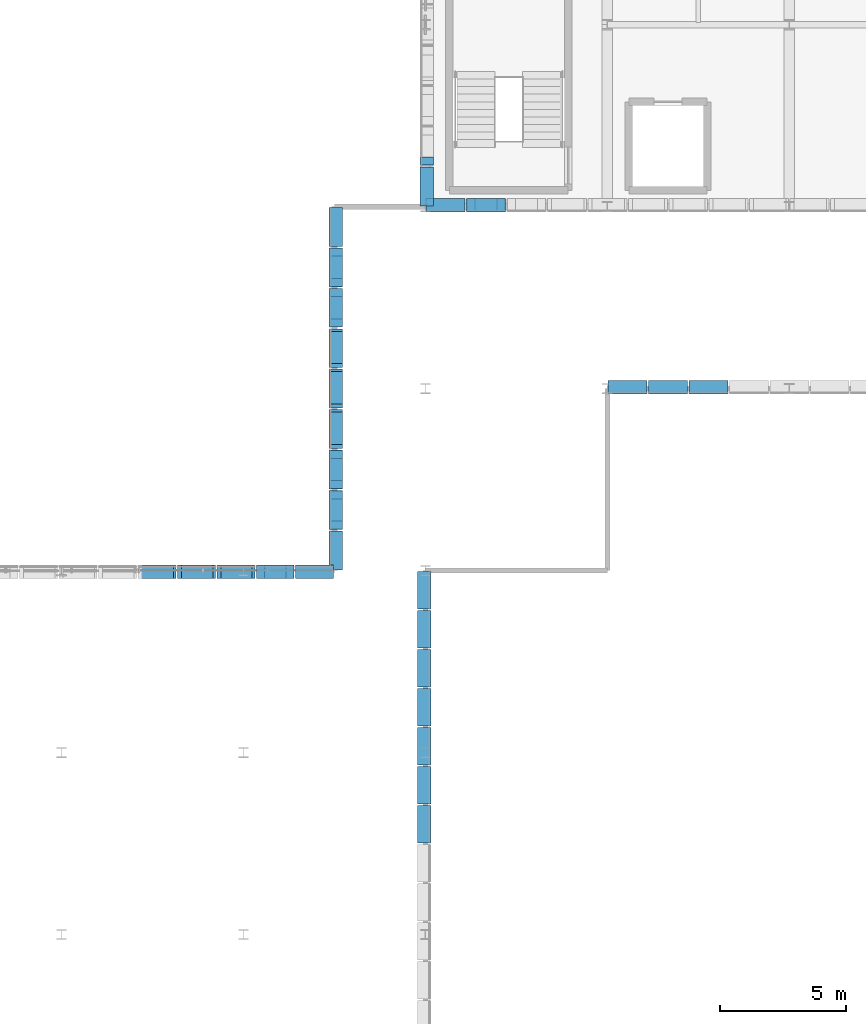
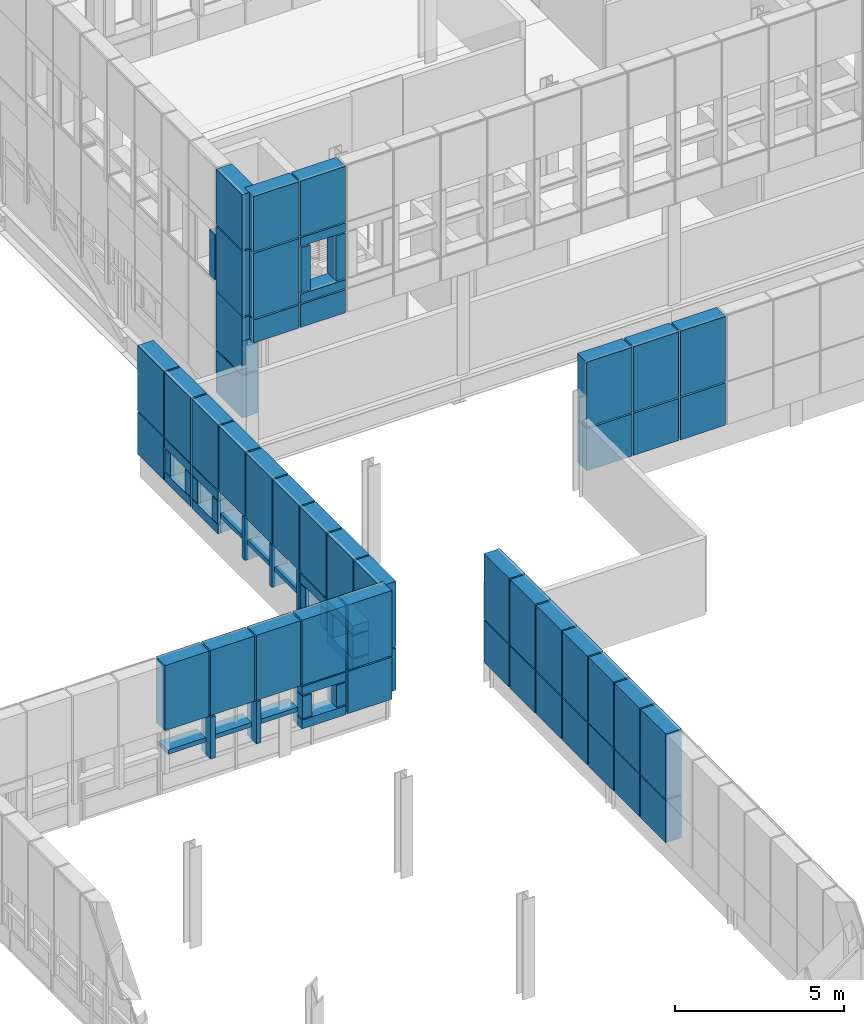
# One storey, part 65 of 96: 83 discrete accessories.
"""IFC4 building model written with IfcOpenShell, lengths in metres."""

from ifc_helpers import new_model, si_unit, direction, frame, origin, origin_2d, place, context, subcontext, project, spatial, rectangle, extrude, material, type_object, element, save


model = new_model("IFC4")

# Units and contexts
model_context = context("Model", 3, precision=1e-05, world=origin(), true_north=direction((0.0, 1.0)))
body_context = subcontext(model_context, "Body", "Model", "MODEL_VIEW")
ifc_project = project(units=[si_unit("LENGTHUNIT", "METRE"), si_unit("AREAUNIT", "SQUARE_METRE"), si_unit("VOLUMEUNIT", "CUBIC_METRE"), si_unit("PLANEANGLEUNIT", "RADIAN"), si_unit("MASSUNIT", "GRAM", prefix="KILO")], contexts=[model_context])

# Site, building, storey
site_placement = place(None, origin())
site = spatial("IfcSite", under=ifc_project, at=site_placement, CompositionType="ELEMENT")
building_placement = place(site_placement, origin())
building = spatial("IfcBuilding", under=site, at=building_placement, Name="Yarey Park Central Fire Station", CompositionType="ELEMENT")
storey_placement = place(building_placement, frame((0.0, 0.0, 14.39990234375)))
storey = spatial("IfcBuildingStorey", under=building, at=storey_placement, Name="L04", CompositionType="ELEMENT", Elevation=14.39990234375)

# Discrete accessories
ifc_material = material(Name="Stainless Steel AISI 316L", Category="steel")
discrete_accessory_type = type_object("IfcDiscreteAccessoryType", Name="ENV_BRK_SS1", PredefinedType="BRACKET", material=ifc_material)
discrete_accessory_1_placement = place(storey_placement, frame((18.179931640625, 43.14990234375, 1.55517578125), z_axis=(0.0, 0.0, 1.0), x_axis=(1.0, 0.0, 0.0)))
element("IfcDiscreteAccessory", 1, at=discrete_accessory_1_placement, inside=storey, type_object=discrete_accessory_type, Name="BRK_PERF_L04_0233", PredefinedType="BRACKET", context=body_context, shape_type="SweptSolid", body=[
    extrude(rectangle(XDim=1.300048828125, YDim=0.5400390625, at=origin_2d()), origin(), (0.0, 0.0, 1.0), 0.159912109375),
])
discrete_accessory_2_placement = place(storey_placement, frame((18.179931640625, 43.14990234375, 2.445068359375), z_axis=(0.0, 0.0, 1.0), x_axis=(1.0, 0.0, 0.0)))
element("IfcDiscreteAccessory", 2, at=discrete_accessory_2_placement, inside=storey, type_object=discrete_accessory_type, Name="BRK_PERF_L04_0234", PredefinedType="BRACKET", context=body_context, shape_type="SweptSolid", body=[
    extrude(rectangle(XDim=1.5, YDim=0.5400390625, at=origin_2d()), origin(), (0.0, 0.0, 1.0), 2.35009765625),
])
discrete_accessory_3_placement = place(storey_placement, frame((19.070068359375, 43.14990234375, 0.875), z_axis=(0.0, 0.0, 1.0), x_axis=(1.0, 0.0, 0.0)))
element("IfcDiscreteAccessory", 3, at=discrete_accessory_3_placement, inside=storey, type_object=discrete_accessory_type, Name="BRK_PERF_L04_0239", PredefinedType="BRACKET", context=body_context, shape_type="SweptSolid", body=[
    extrude(rectangle(XDim=0.159912109375, YDim=0.5400390625, at=origin_2d()), origin(), (0.0, 0.0, 1.0), 1.52001953125),
])
discrete_accessory_4_placement = place(storey_placement, frame((19.739990234375, 43.14990234375, 1.55517578125), z_axis=(0.0, 0.0, 1.0), x_axis=(1.0, 0.0, 0.0)))
element("IfcDiscreteAccessory", 4, at=discrete_accessory_4_placement, inside=storey, type_object=discrete_accessory_type, Name="BRK_PERF_L04_0240", PredefinedType="BRACKET", context=body_context, shape_type="SweptSolid", body=[
    extrude(rectangle(XDim=1.300048828125, YDim=0.5400390625, at=origin_2d()), origin(), (0.0, 0.0, 1.0), 0.159912109375),
])
discrete_accessory_5_placement = place(storey_placement, frame((19.739990234375, 43.14990234375, 2.445068359375), z_axis=(0.0, 0.0, 1.0), x_axis=(1.0, 0.0, 0.0)))
element("IfcDiscreteAccessory", 5, at=discrete_accessory_5_placement, inside=storey, type_object=discrete_accessory_type, Name="BRK_PERF_L04_0241", PredefinedType="BRACKET", context=body_context, shape_type="SweptSolid", body=[
    extrude(rectangle(XDim=1.5, YDim=0.5400390625, at=origin_2d()), origin(), (0.0, 0.0, 1.0), 2.35009765625),
])
discrete_accessory_6_placement = place(storey_placement, frame((20.6298828125, 43.14990234375, 0.875), z_axis=(0.0, 0.0, 1.0), x_axis=(1.0, 0.0, 0.0)))
element("IfcDiscreteAccessory", 6, at=discrete_accessory_6_placement, inside=storey, type_object=discrete_accessory_type, Name="BRK_PERF_L04_0246", PredefinedType="BRACKET", context=body_context, shape_type="SweptSolid", body=[
    extrude(rectangle(XDim=0.159912109375, YDim=0.5400390625, at=origin_2d()), origin(), (0.0, 0.0, 1.0), 1.52001953125),
])
discrete_accessory_7_placement = place(storey_placement, frame((21.300048828125, 43.14990234375, 1.55517578125), z_axis=(0.0, 0.0, 1.0), x_axis=(1.0, 0.0, 0.0)))
element("IfcDiscreteAccessory", 7, at=discrete_accessory_7_placement, inside=storey, type_object=discrete_accessory_type, Name="BRK_PERF_L04_0247", PredefinedType="BRACKET", context=body_context, shape_type="SweptSolid", body=[
    extrude(rectangle(XDim=1.300048828125, YDim=0.5400390625, at=origin_2d()), origin(), (0.0, 0.0, 1.0), 0.159912109375),
])
discrete_accessory_8_placement = place(storey_placement, frame((21.300048828125, 43.14990234375, 2.445068359375), z_axis=(0.0, 0.0, 1.0), x_axis=(1.0, 0.0, 0.0)))
element("IfcDiscreteAccessory", 8, at=discrete_accessory_8_placement, inside=storey, type_object=discrete_accessory_type, Name="BRK_PERF_L04_0248", PredefinedType="BRACKET", context=body_context, shape_type="SweptSolid", body=[
    extrude(rectangle(XDim=1.5, YDim=0.5400390625, at=origin_2d()), origin(), (0.0, 0.0, 1.0), 2.35009765625),
])
for number, where, z_axis, x_axis, name in (
    (9, (22.860107421875, 43.14990234375, 0.8701171875), (0.0, 0.0, 1.0), (1.0, 0.0, 0.0), "BRK_PERF_L04_0255"),
    (10, (22.860107421875, 43.14990234375, 2.080078125), (0.0, 0.0, 1.0), (1.0, 0.0, 0.0), "BRK_PERF_L04_0256"),
):
    element("IfcDiscreteAccessory", number, at=place(storey_placement, frame(where, z_axis=z_axis, x_axis=x_axis)), inside=storey, type_object=discrete_accessory_type, Name=name, PredefinedType="BRACKET", context=body_context, shape_type="SweptSolid", body=[
        extrude(rectangle(XDim=1.5, YDim=0.5400390625, at=origin_2d()), origin(), (0.0, 0.0, 1.0), 0.320068359375),
    ])
for number, where, z_axis, x_axis, name in (
    (11, (22.280029296875, 43.14990234375, 1.23486328125), (0.0, 0.0, 1.0), (1.0, 0.0, 0.0), "BRK_PERF_L04_0257"),
    (12, (23.43994140625, 43.14990234375, 1.23486328125), (0.0, 0.0, 1.0), (1.0, 0.0, 0.0), "BRK_PERF_L04_0258"),
):
    element("IfcDiscreteAccessory", number, at=place(storey_placement, frame(where, z_axis=z_axis, x_axis=x_axis)), inside=storey, type_object=discrete_accessory_type, Name=name, PredefinedType="BRACKET", context=body_context, shape_type="SweptSolid", body=[
        extrude(rectangle(XDim=0.320068359375, YDim=0.5400390625, at=origin_2d()), origin(), (0.0, 0.0, 1.0), 0.800048828125),
    ])
discrete_accessory_9_placement = place(storey_placement, frame((22.860107421875, 43.14990234375, 2.445068359375), z_axis=(0.0, 0.0, 1.0), x_axis=(1.0, 0.0, 0.0)))
element("IfcDiscreteAccessory", 13, at=discrete_accessory_9_placement, inside=storey, type_object=discrete_accessory_type, Name="BRK_PERF_L04_0259", PredefinedType="BRACKET", context=body_context, shape_type="SweptSolid", body=[
    extrude(rectangle(XDim=1.5, YDim=0.5400390625, at=origin_2d()), origin(), (0.0, 0.0, 1.0), 2.35009765625),
])
discrete_accessory_10_placement = place(storey_placement, frame((24.419921875, 43.14990234375, 0.875), z_axis=(0.0, 0.0, 1.0), x_axis=(1.0, 0.0, 0.0)))
element("IfcDiscreteAccessory", 14, at=discrete_accessory_10_placement, inside=storey, type_object=discrete_accessory_type, Name="BRK_PERF_L04_0263", PredefinedType="BRACKET", context=body_context, shape_type="SweptSolid", body=[
    extrude(rectangle(XDim=1.5, YDim=0.5400390625, at=origin_2d()), origin(), (0.0, 0.0, 1.0), 1.52001953125),
])
discrete_accessory_11_placement = place(storey_placement, frame((24.419921875, 43.14990234375, 2.445068359375), z_axis=(0.0, 0.0, 1.0), x_axis=(1.0, 0.0, 0.0)))
element("IfcDiscreteAccessory", 15, at=discrete_accessory_11_placement, inside=storey, type_object=discrete_accessory_type, Name="BRK_PERF_L04_0264", PredefinedType="BRACKET", context=body_context, shape_type="SweptSolid", body=[
    extrude(rectangle(XDim=1.5, YDim=0.5400390625, at=origin_2d()), origin(), (0.0, 0.0, 1.0), 2.35009765625),
])
discrete_accessory_12_placement = place(storey_placement, frame((25.25, 44.0, 0.875), z_axis=(0.0, 0.0, 1.0), x_axis=(1.0, 0.0, 0.0)))
element("IfcDiscreteAccessory", 16, at=discrete_accessory_12_placement, inside=storey, type_object=discrete_accessory_type, Name="BRK_PERF_L04_0529", PredefinedType="BRACKET", context=body_context, shape_type="SweptSolid", body=[
    extrude(rectangle(XDim=0.5400390625, YDim=1.5400390625, at=origin_2d()), origin(), (0.0, 0.0, 1.0), 1.52001953125),
])
discrete_accessory_13_placement = place(storey_placement, frame((25.25, 44.0, 2.445068359375), z_axis=(0.0, 0.0, 1.0), x_axis=(1.0, 0.0, 0.0)))
element("IfcDiscreteAccessory", 17, at=discrete_accessory_13_placement, inside=storey, type_object=discrete_accessory_type, Name="BRK_PERF_L04_0530", PredefinedType="BRACKET", context=body_context, shape_type="SweptSolid", body=[
    extrude(rectangle(XDim=0.5400390625, YDim=1.5400390625, at=origin_2d()), origin(), (0.0, 0.0, 1.0), 2.35009765625),
])
for number, where, z_axis, x_axis, name in (
    (18, (25.25, 45.60009765625, 0.8701171875), (0.0, 0.0, 1.0), (1.0, 0.0, 0.0), "BRK_PERF_L04_0537"),
    (19, (25.25, 45.60009765625, 2.080078125), (0.0, 0.0, 1.0), (1.0, 0.0, 0.0), "BRK_PERF_L04_0538"),
):
    element("IfcDiscreteAccessory", number, at=place(storey_placement, frame(where, z_axis=z_axis, x_axis=x_axis)), inside=storey, type_object=discrete_accessory_type, Name=name, PredefinedType="BRACKET", context=body_context, shape_type="SweptSolid", body=[
        extrude(rectangle(XDim=0.5400390625, YDim=1.5400390625, at=origin_2d()), origin(), (0.0, 0.0, 1.0), 0.320068359375),
    ])
for number, where, z_axis, x_axis, name in (
    (20, (25.25, 45.0, 1.23486328125), (0.0, 0.0, 1.0), (1.0, 0.0, 0.0), "BRK_PERF_L04_0539"),
    (21, (25.25, 46.199951171875, 1.23486328125), (0.0, 0.0, 1.0), (1.0, 0.0, 0.0), "BRK_PERF_L04_0540"),
):
    element("IfcDiscreteAccessory", number, at=place(storey_placement, frame(where, z_axis=z_axis, x_axis=x_axis)), inside=storey, type_object=discrete_accessory_type, Name=name, PredefinedType="BRACKET", context=body_context, shape_type="SweptSolid", body=[
        extrude(rectangle(XDim=0.5400390625, YDim=0.320068359375, at=origin_2d()), origin(), (0.0, 0.0, 1.0), 0.800048828125),
    ])
discrete_accessory_14_placement = place(storey_placement, frame((25.25, 45.60009765625, 2.445068359375), z_axis=(0.0, 0.0, 1.0), x_axis=(1.0, 0.0, 0.0)))
element("IfcDiscreteAccessory", 22, at=discrete_accessory_14_placement, inside=storey, type_object=discrete_accessory_type, Name="BRK_PERF_L04_0541", PredefinedType="BRACKET", context=body_context, shape_type="SweptSolid", body=[
    extrude(rectangle(XDim=0.5400390625, YDim=1.5400390625, at=origin_2d()), origin(), (0.0, 0.0, 1.0), 2.35009765625),
])
for number, where, z_axis, x_axis, name in (
    (23, (25.25, 47.199951171875, 0.8701171875), (0.0, 0.0, 1.0), (1.0, 0.0, 0.0), "BRK_PERF_L04_0548"),
    (24, (25.25, 47.199951171875, 2.080078125), (0.0, 0.0, 1.0), (1.0, 0.0, 0.0), "BRK_PERF_L04_0549"),
):
    element("IfcDiscreteAccessory", number, at=place(storey_placement, frame(where, z_axis=z_axis, x_axis=x_axis)), inside=storey, type_object=discrete_accessory_type, Name=name, PredefinedType="BRACKET", context=body_context, shape_type="SweptSolid", body=[
        extrude(rectangle(XDim=0.5400390625, YDim=1.5400390625, at=origin_2d()), origin(), (0.0, 0.0, 1.0), 0.320068359375),
    ])
for number, where, z_axis, x_axis, name in (
    (25, (25.25, 46.60009765625, 1.23486328125), (0.0, 0.0, 1.0), (1.0, 0.0, 0.0), "BRK_PERF_L04_0550"),
    (26, (25.25, 47.800048828125, 1.23486328125), (0.0, 0.0, 1.0), (1.0, 0.0, 0.0), "BRK_PERF_L04_0551"),
):
    element("IfcDiscreteAccessory", number, at=place(storey_placement, frame(where, z_axis=z_axis, x_axis=x_axis)), inside=storey, type_object=discrete_accessory_type, Name=name, PredefinedType="BRACKET", context=body_context, shape_type="SweptSolid", body=[
        extrude(rectangle(XDim=0.5400390625, YDim=0.320068359375, at=origin_2d()), origin(), (0.0, 0.0, 1.0), 0.800048828125),
    ])
discrete_accessory_15_placement = place(storey_placement, frame((25.25, 47.199951171875, 2.445068359375), z_axis=(0.0, 0.0, 1.0), x_axis=(1.0, 0.0, 0.0)))
element("IfcDiscreteAccessory", 27, at=discrete_accessory_15_placement, inside=storey, type_object=discrete_accessory_type, Name="BRK_PERF_L04_0552", PredefinedType="BRACKET", context=body_context, shape_type="SweptSolid", body=[
    extrude(rectangle(XDim=0.5400390625, YDim=1.5400390625, at=origin_2d()), origin(), (0.0, 0.0, 1.0), 2.35009765625),
])
discrete_accessory_16_placement = place(storey_placement, frame((25.25, 48.110107421875, 0.875), z_axis=(0.0, 0.0, 1.0), x_axis=(1.0, 0.0, 0.0)))
element("IfcDiscreteAccessory", 28, at=discrete_accessory_16_placement, inside=storey, type_object=discrete_accessory_type, Name="BRK_PERF_L04_0557", PredefinedType="BRACKET", context=body_context, shape_type="SweptSolid", body=[
    extrude(rectangle(XDim=0.5400390625, YDim=0.159912109375, at=origin_2d()), origin(), (0.0, 0.0, 1.0), 1.52001953125),
])
discrete_accessory_17_placement = place(storey_placement, frame((25.25, 48.800048828125, 1.55517578125), z_axis=(0.0, 0.0, 1.0), x_axis=(1.0, 0.0, 0.0)))
element("IfcDiscreteAccessory", 29, at=discrete_accessory_17_placement, inside=storey, type_object=discrete_accessory_type, Name="BRK_PERF_L04_0558", PredefinedType="BRACKET", context=body_context, shape_type="SweptSolid", body=[
    extrude(rectangle(XDim=0.5400390625, YDim=1.340087890625, at=origin_2d()), origin(), (0.0, 0.0, 1.0), 0.159912109375),
])
discrete_accessory_18_placement = place(storey_placement, frame((25.25, 48.800048828125, 2.445068359375), z_axis=(0.0, 0.0, 1.0), x_axis=(1.0, 0.0, 0.0)))
element("IfcDiscreteAccessory", 30, at=discrete_accessory_18_placement, inside=storey, type_object=discrete_accessory_type, Name="BRK_PERF_L04_0559", PredefinedType="BRACKET", context=body_context, shape_type="SweptSolid", body=[
    extrude(rectangle(XDim=0.5400390625, YDim=1.5400390625, at=origin_2d()), origin(), (0.0, 0.0, 1.0), 2.35009765625),
])
discrete_accessory_19_placement = place(storey_placement, frame((25.25, 49.7099609375, 0.875), z_axis=(0.0, 0.0, 1.0), x_axis=(1.0, 0.0, 0.0)))
element("IfcDiscreteAccessory", 31, at=discrete_accessory_19_placement, inside=storey, type_object=discrete_accessory_type, Name="BRK_PERF_L04_0564", PredefinedType="BRACKET", context=body_context, shape_type="SweptSolid", body=[
    extrude(rectangle(XDim=0.5400390625, YDim=0.159912109375, at=origin_2d()), origin(), (0.0, 0.0, 1.0), 1.52001953125),
])
discrete_accessory_20_placement = place(storey_placement, frame((25.25, 50.39990234375, 1.55517578125), z_axis=(0.0, 0.0, 1.0), x_axis=(1.0, 0.0, 0.0)))
element("IfcDiscreteAccessory", 32, at=discrete_accessory_20_placement, inside=storey, type_object=discrete_accessory_type, Name="BRK_PERF_L04_0565", PredefinedType="BRACKET", context=body_context, shape_type="SweptSolid", body=[
    extrude(rectangle(XDim=0.5400390625, YDim=1.340087890625, at=origin_2d()), origin(), (0.0, 0.0, 1.0), 0.159912109375),
])
discrete_accessory_21_placement = place(storey_placement, frame((25.25, 50.39990234375, 2.445068359375), z_axis=(0.0, 0.0, 1.0), x_axis=(1.0, 0.0, 0.0)))
element("IfcDiscreteAccessory", 33, at=discrete_accessory_21_placement, inside=storey, type_object=discrete_accessory_type, Name="BRK_PERF_L04_0566", PredefinedType="BRACKET", context=body_context, shape_type="SweptSolid", body=[
    extrude(rectangle(XDim=0.5400390625, YDim=1.5400390625, at=origin_2d()), origin(), (0.0, 0.0, 1.0), 2.35009765625),
])
discrete_accessory_22_placement = place(storey_placement, frame((25.25, 51.31005859375, 0.875), z_axis=(0.0, 0.0, 1.0), x_axis=(1.0, 0.0, 0.0)))
element("IfcDiscreteAccessory", 34, at=discrete_accessory_22_placement, inside=storey, type_object=discrete_accessory_type, Name="BRK_PERF_L04_0571", PredefinedType="BRACKET", context=body_context, shape_type="SweptSolid", body=[
    extrude(rectangle(XDim=0.5400390625, YDim=0.159912109375, at=origin_2d()), origin(), (0.0, 0.0, 1.0), 1.52001953125),
])
discrete_accessory_23_placement = place(storey_placement, frame((25.25, 52.0, 1.55517578125), z_axis=(0.0, 0.0, 1.0), x_axis=(1.0, 0.0, 0.0)))
element("IfcDiscreteAccessory", 35, at=discrete_accessory_23_placement, inside=storey, type_object=discrete_accessory_type, Name="BRK_PERF_L04_0572", PredefinedType="BRACKET", context=body_context, shape_type="SweptSolid", body=[
    extrude(rectangle(XDim=0.5400390625, YDim=1.340087890625, at=origin_2d()), origin(), (0.0, 0.0, 1.0), 0.159912109375),
])
discrete_accessory_24_placement = place(storey_placement, frame((25.25, 52.0, 2.445068359375), z_axis=(0.0, 0.0, 1.0), x_axis=(1.0, 0.0, 0.0)))
element("IfcDiscreteAccessory", 36, at=discrete_accessory_24_placement, inside=storey, type_object=discrete_accessory_type, Name="BRK_PERF_L04_0573", PredefinedType="BRACKET", context=body_context, shape_type="SweptSolid", body=[
    extrude(rectangle(XDim=0.5400390625, YDim=1.5400390625, at=origin_2d()), origin(), (0.0, 0.0, 1.0), 2.35009765625),
])
for number, where, z_axis, x_axis, name in (
    (37, (25.25, 53.60009765625, 0.8701171875), (0.0, 0.0, 1.0), (1.0, 0.0, 0.0), "BRK_PERF_L04_0580"),
    (38, (25.25, 53.60009765625, 2.080078125), (0.0, 0.0, 1.0), (1.0, 0.0, 0.0), "BRK_PERF_L04_0581"),
):
    element("IfcDiscreteAccessory", number, at=place(storey_placement, frame(where, z_axis=z_axis, x_axis=x_axis)), inside=storey, type_object=discrete_accessory_type, Name=name, PredefinedType="BRACKET", context=body_context, shape_type="SweptSolid", body=[
        extrude(rectangle(XDim=0.5400390625, YDim=1.5400390625, at=origin_2d()), origin(), (0.0, 0.0, 1.0), 0.320068359375),
    ])
for number, where, z_axis, x_axis, name in (
    (39, (25.25, 53.0, 1.23486328125), (0.0, 0.0, 1.0), (1.0, 0.0, 0.0), "BRK_PERF_L04_0582"),
    (40, (25.25, 54.199951171875, 1.23486328125), (0.0, 0.0, 1.0), (1.0, 0.0, 0.0), "BRK_PERF_L04_0583"),
):
    element("IfcDiscreteAccessory", number, at=place(storey_placement, frame(where, z_axis=z_axis, x_axis=x_axis)), inside=storey, type_object=discrete_accessory_type, Name=name, PredefinedType="BRACKET", context=body_context, shape_type="SweptSolid", body=[
        extrude(rectangle(XDim=0.5400390625, YDim=0.320068359375, at=origin_2d()), origin(), (0.0, 0.0, 1.0), 0.800048828125),
    ])
discrete_accessory_25_placement = place(storey_placement, frame((25.25, 53.60009765625, 2.445068359375), z_axis=(0.0, 0.0, 1.0), x_axis=(1.0, 0.0, 0.0)))
element("IfcDiscreteAccessory", 41, at=discrete_accessory_25_placement, inside=storey, type_object=discrete_accessory_type, Name="BRK_PERF_L04_0584", PredefinedType="BRACKET", context=body_context, shape_type="SweptSolid", body=[
    extrude(rectangle(XDim=0.5400390625, YDim=1.5400390625, at=origin_2d()), origin(), (0.0, 0.0, 1.0), 2.35009765625),
])
for number, where, z_axis, x_axis, name in (
    (42, (25.25, 55.199951171875, 0.8701171875), (0.0, 0.0, 1.0), (1.0, 0.0, 0.0), "BRK_PERF_L04_0591"),
    (43, (25.25, 55.199951171875, 2.080078125), (0.0, 0.0, 1.0), (1.0, 0.0, 0.0), "BRK_PERF_L04_0592"),
):
    element("IfcDiscreteAccessory", number, at=place(storey_placement, frame(where, z_axis=z_axis, x_axis=x_axis)), inside=storey, type_object=discrete_accessory_type, Name=name, PredefinedType="BRACKET", context=body_context, shape_type="SweptSolid", body=[
        extrude(rectangle(XDim=0.5400390625, YDim=1.5400390625, at=origin_2d()), origin(), (0.0, 0.0, 1.0), 0.320068359375),
    ])
for number, where, z_axis, x_axis, name in (
    (44, (25.25, 54.60009765625, 1.23486328125), (0.0, 0.0, 1.0), (1.0, 0.0, 0.0), "BRK_PERF_L04_0593"),
    (45, (25.25, 55.800048828125, 1.23486328125), (0.0, 0.0, 1.0), (1.0, 0.0, 0.0), "BRK_PERF_L04_0594"),
):
    element("IfcDiscreteAccessory", number, at=place(storey_placement, frame(where, z_axis=z_axis, x_axis=x_axis)), inside=storey, type_object=discrete_accessory_type, Name=name, PredefinedType="BRACKET", context=body_context, shape_type="SweptSolid", body=[
        extrude(rectangle(XDim=0.5400390625, YDim=0.320068359375, at=origin_2d()), origin(), (0.0, 0.0, 1.0), 0.800048828125),
    ])
discrete_accessory_26_placement = place(storey_placement, frame((25.25, 55.199951171875, 2.445068359375), z_axis=(0.0, 0.0, 1.0), x_axis=(1.0, 0.0, 0.0)))
element("IfcDiscreteAccessory", 46, at=discrete_accessory_26_placement, inside=storey, type_object=discrete_accessory_type, Name="BRK_PERF_L04_0595", PredefinedType="BRACKET", context=body_context, shape_type="SweptSolid", body=[
    extrude(rectangle(XDim=0.5400390625, YDim=1.5400390625, at=origin_2d()), origin(), (0.0, 0.0, 1.0), 2.35009765625),
])
discrete_accessory_27_placement = place(storey_placement, frame((25.25, 56.800048828125, 0.875), z_axis=(0.0, 0.0, 1.0), x_axis=(1.0, 0.0, 0.0)))
element("IfcDiscreteAccessory", 47, at=discrete_accessory_27_placement, inside=storey, type_object=discrete_accessory_type, Name="BRK_PERF_L04_0599", PredefinedType="BRACKET", context=body_context, shape_type="SweptSolid", body=[
    extrude(rectangle(XDim=0.5400390625, YDim=1.5400390625, at=origin_2d()), origin(), (0.0, 0.0, 1.0), 1.52001953125),
])
discrete_accessory_28_placement = place(storey_placement, frame((25.25, 56.800048828125, 2.445068359375), z_axis=(0.0, 0.0, 1.0), x_axis=(1.0, 0.0, 0.0)))
element("IfcDiscreteAccessory", 48, at=discrete_accessory_28_placement, inside=storey, type_object=discrete_accessory_type, Name="BRK_PERF_L04_0600", PredefinedType="BRACKET", context=body_context, shape_type="SweptSolid", body=[
    extrude(rectangle(XDim=0.5400390625, YDim=1.5400390625, at=origin_2d()), origin(), (0.0, 0.0, 1.0), 2.35009765625),
])
discrete_accessory_29_placement = place(storey_placement, frame((28.85009765625, 58.396240234375, 0.875), z_axis=(0.0, 0.0, 1.0), x_axis=(1.0, 0.0, 0.0)))
element("IfcDiscreteAccessory", 49, at=discrete_accessory_29_placement, inside=storey, type_object=discrete_accessory_type, Name="BRK_PERF_L04_0604", PredefinedType="BRACKET", context=body_context, shape_type="SweptSolid", body=[
    extrude(rectangle(XDim=0.5400390625, YDim=1.5322265625, at=origin_2d()), origin(), (0.0, 0.0, 1.0), 1.52001953125),
])
discrete_accessory_30_placement = place(storey_placement, frame((28.85009765625, 58.396240234375, 2.445068359375), z_axis=(0.0, 0.0, 1.0), x_axis=(1.0, 0.0, 0.0)))
element("IfcDiscreteAccessory", 50, at=discrete_accessory_30_placement, inside=storey, type_object=discrete_accessory_type, Name="BRK_PERF_L04_0605", PredefinedType="BRACKET", context=body_context, shape_type="SweptSolid", body=[
    extrude(rectangle(XDim=0.5400390625, YDim=1.5322265625, at=origin_2d()), origin(), (0.0, 0.0, 1.0), 2.35009765625),
])
discrete_accessory_31_placement = place(storey_placement, frame((28.75, 33.17138671875, 0.875), z_axis=(0.0, 0.0, 1.0), x_axis=(1.0, 0.0, 0.0)))
element("IfcDiscreteAccessory", 51, at=discrete_accessory_31_placement, inside=storey, type_object=discrete_accessory_type, Name="BRK_PERF_L04_0955", PredefinedType="BRACKET", context=body_context, shape_type="SweptSolid", body=[
    extrude(rectangle(XDim=0.5400390625, YDim=1.48291015625, at=origin_2d()), origin(), (0.0, 0.0, 1.0), 1.52001953125),
])
discrete_accessory_32_placement = place(storey_placement, frame((28.75, 33.17138671875, 2.445068359375), z_axis=(0.0, 0.0, 1.0), x_axis=(1.0, 0.0, 0.0)))
element("IfcDiscreteAccessory", 52, at=discrete_accessory_32_placement, inside=storey, type_object=discrete_accessory_type, Name="BRK_PERF_L04_0956", PredefinedType="BRACKET", context=body_context, shape_type="SweptSolid", body=[
    extrude(rectangle(XDim=0.5400390625, YDim=1.48291015625, at=origin_2d()), origin(), (0.0, 0.0, 1.0), 2.35009765625),
])
discrete_accessory_33_placement = place(storey_placement, frame((28.75, 34.71435546875, 0.875), z_axis=(0.0, 0.0, 1.0), x_axis=(1.0, 0.0, 0.0)))
element("IfcDiscreteAccessory", 53, at=discrete_accessory_33_placement, inside=storey, type_object=discrete_accessory_type, Name="BRK_PERF_L04_0960", PredefinedType="BRACKET", context=body_context, shape_type="SweptSolid", body=[
    extrude(rectangle(XDim=0.5400390625, YDim=1.48291015625, at=origin_2d()), origin(), (0.0, 0.0, 1.0), 1.52001953125),
])
discrete_accessory_34_placement = place(storey_placement, frame((28.75, 34.71435546875, 2.445068359375), z_axis=(0.0, 0.0, 1.0), x_axis=(1.0, 0.0, 0.0)))
element("IfcDiscreteAccessory", 54, at=discrete_accessory_34_placement, inside=storey, type_object=discrete_accessory_type, Name="BRK_PERF_L04_0961", PredefinedType="BRACKET", context=body_context, shape_type="SweptSolid", body=[
    extrude(rectangle(XDim=0.5400390625, YDim=1.48291015625, at=origin_2d()), origin(), (0.0, 0.0, 1.0), 2.35009765625),
])
discrete_accessory_35_placement = place(storey_placement, frame((28.75, 36.257080078125, 0.875), z_axis=(0.0, 0.0, 1.0), x_axis=(1.0, 0.0, 0.0)))
element("IfcDiscreteAccessory", 55, at=discrete_accessory_35_placement, inside=storey, type_object=discrete_accessory_type, Name="BRK_PERF_L04_0965", PredefinedType="BRACKET", context=body_context, shape_type="SweptSolid", body=[
    extrude(rectangle(XDim=0.5400390625, YDim=1.48291015625, at=origin_2d()), origin(), (0.0, 0.0, 1.0), 1.52001953125),
])
discrete_accessory_36_placement = place(storey_placement, frame((28.75, 36.257080078125, 2.445068359375), z_axis=(0.0, 0.0, 1.0), x_axis=(1.0, 0.0, 0.0)))
element("IfcDiscreteAccessory", 56, at=discrete_accessory_36_placement, inside=storey, type_object=discrete_accessory_type, Name="BRK_PERF_L04_0966", PredefinedType="BRACKET", context=body_context, shape_type="SweptSolid", body=[
    extrude(rectangle(XDim=0.5400390625, YDim=1.48291015625, at=origin_2d()), origin(), (0.0, 0.0, 1.0), 2.35009765625),
])
discrete_accessory_37_placement = place(storey_placement, frame((28.75, 37.800048828125, 0.875), z_axis=(0.0, 0.0, 1.0), x_axis=(1.0, 0.0, 0.0)))
element("IfcDiscreteAccessory", 57, at=discrete_accessory_37_placement, inside=storey, type_object=discrete_accessory_type, Name="BRK_PERF_L04_0970", PredefinedType="BRACKET", context=body_context, shape_type="SweptSolid", body=[
    extrude(rectangle(XDim=0.5400390625, YDim=1.48291015625, at=origin_2d()), origin(), (0.0, 0.0, 1.0), 1.52001953125),
])
discrete_accessory_38_placement = place(storey_placement, frame((28.75, 37.800048828125, 2.445068359375), z_axis=(0.0, 0.0, 1.0), x_axis=(1.0, 0.0, 0.0)))
element("IfcDiscreteAccessory", 58, at=discrete_accessory_38_placement, inside=storey, type_object=discrete_accessory_type, Name="BRK_PERF_L04_0971", PredefinedType="BRACKET", context=body_context, shape_type="SweptSolid", body=[
    extrude(rectangle(XDim=0.5400390625, YDim=1.48291015625, at=origin_2d()), origin(), (0.0, 0.0, 1.0), 2.35009765625),
])
discrete_accessory_39_placement = place(storey_placement, frame((28.75, 39.343017578125, 0.875), z_axis=(0.0, 0.0, 1.0), x_axis=(1.0, 0.0, 0.0)))
element("IfcDiscreteAccessory", 59, at=discrete_accessory_39_placement, inside=storey, type_object=discrete_accessory_type, Name="BRK_PERF_L04_0975", PredefinedType="BRACKET", context=body_context, shape_type="SweptSolid", body=[
    extrude(rectangle(XDim=0.5400390625, YDim=1.48291015625, at=origin_2d()), origin(), (0.0, 0.0, 1.0), 1.52001953125),
])
discrete_accessory_40_placement = place(storey_placement, frame((28.75, 39.343017578125, 2.445068359375), z_axis=(0.0, 0.0, 1.0), x_axis=(1.0, 0.0, 0.0)))
element("IfcDiscreteAccessory", 60, at=discrete_accessory_40_placement, inside=storey, type_object=discrete_accessory_type, Name="BRK_PERF_L04_0976", PredefinedType="BRACKET", context=body_context, shape_type="SweptSolid", body=[
    extrude(rectangle(XDim=0.5400390625, YDim=1.48291015625, at=origin_2d()), origin(), (0.0, 0.0, 1.0), 2.35009765625),
])
discrete_accessory_41_placement = place(storey_placement, frame((28.75, 40.8857421875, 0.875), z_axis=(0.0, 0.0, 1.0), x_axis=(1.0, 0.0, 0.0)))
element("IfcDiscreteAccessory", 61, at=discrete_accessory_41_placement, inside=storey, type_object=discrete_accessory_type, Name="BRK_PERF_L04_0980", PredefinedType="BRACKET", context=body_context, shape_type="SweptSolid", body=[
    extrude(rectangle(XDim=0.5400390625, YDim=1.48291015625, at=origin_2d()), origin(), (0.0, 0.0, 1.0), 1.52001953125),
])
discrete_accessory_42_placement = place(storey_placement, frame((28.75, 40.8857421875, 2.445068359375), z_axis=(0.0, 0.0, 1.0), x_axis=(1.0, 0.0, 0.0)))
element("IfcDiscreteAccessory", 62, at=discrete_accessory_42_placement, inside=storey, type_object=discrete_accessory_type, Name="BRK_PERF_L04_0981", PredefinedType="BRACKET", context=body_context, shape_type="SweptSolid", body=[
    extrude(rectangle(XDim=0.5400390625, YDim=1.48291015625, at=origin_2d()), origin(), (0.0, 0.0, 1.0), 2.35009765625),
])
discrete_accessory_43_placement = place(storey_placement, frame((28.75, 42.4287109375, 0.875), z_axis=(0.0, 0.0, 1.0), x_axis=(1.0, 0.0, 0.0)))
element("IfcDiscreteAccessory", 63, at=discrete_accessory_43_placement, inside=storey, type_object=discrete_accessory_type, Name="BRK_PERF_L04_0985", PredefinedType="BRACKET", context=body_context, shape_type="SweptSolid", body=[
    extrude(rectangle(XDim=0.5400390625, YDim=1.48291015625, at=origin_2d()), origin(), (0.0, 0.0, 1.0), 1.52001953125),
])
discrete_accessory_44_placement = place(storey_placement, frame((28.75, 42.4287109375, 2.445068359375), z_axis=(0.0, 0.0, 1.0), x_axis=(1.0, 0.0, 0.0)))
element("IfcDiscreteAccessory", 64, at=discrete_accessory_44_placement, inside=storey, type_object=discrete_accessory_type, Name="BRK_PERF_L04_0986", PredefinedType="BRACKET", context=body_context, shape_type="SweptSolid", body=[
    extrude(rectangle(XDim=0.5400390625, YDim=1.48291015625, at=origin_2d()), origin(), (0.0, 0.0, 1.0), 2.35009765625),
])
discrete_accessory_45_placement = place(storey_placement, frame((36.800048828125, 50.449951171875, 0.875), z_axis=(0.0, 0.0, 1.0), x_axis=(1.0, 0.0, 0.0)))
element("IfcDiscreteAccessory", 65, at=discrete_accessory_45_placement, inside=storey, type_object=discrete_accessory_type, Name="BRK_PERF_L04_1080", PredefinedType="BRACKET", context=body_context, shape_type="SweptSolid", body=[
    extrude(rectangle(XDim=1.5400390625, YDim=0.5400390625, at=origin_2d()), origin(), (0.0, 0.0, 1.0), 1.52001953125),
])
discrete_accessory_46_placement = place(storey_placement, frame((36.800048828125, 50.449951171875, 2.445068359375), z_axis=(0.0, 0.0, 1.0), x_axis=(1.0, 0.0, 0.0)))
element("IfcDiscreteAccessory", 66, at=discrete_accessory_46_placement, inside=storey, type_object=discrete_accessory_type, Name="BRK_PERF_L04_1081", PredefinedType="BRACKET", context=body_context, shape_type="SweptSolid", body=[
    extrude(rectangle(XDim=1.5400390625, YDim=0.5400390625, at=origin_2d()), origin(), (0.0, 0.0, 1.0), 2.35009765625),
])
discrete_accessory_47_placement = place(storey_placement, frame((38.39990234375, 50.449951171875, 0.875), z_axis=(0.0, 0.0, 1.0), x_axis=(1.0, 0.0, 0.0)))
element("IfcDiscreteAccessory", 67, at=discrete_accessory_47_placement, inside=storey, type_object=discrete_accessory_type, Name="BRK_PERF_L04_1085", PredefinedType="BRACKET", context=body_context, shape_type="SweptSolid", body=[
    extrude(rectangle(XDim=1.5400390625, YDim=0.5400390625, at=origin_2d()), origin(), (0.0, 0.0, 1.0), 1.52001953125),
])
discrete_accessory_48_placement = place(storey_placement, frame((38.39990234375, 50.449951171875, 2.445068359375), z_axis=(0.0, 0.0, 1.0), x_axis=(1.0, 0.0, 0.0)))
element("IfcDiscreteAccessory", 68, at=discrete_accessory_48_placement, inside=storey, type_object=discrete_accessory_type, Name="BRK_PERF_L04_1086", PredefinedType="BRACKET", context=body_context, shape_type="SweptSolid", body=[
    extrude(rectangle(XDim=1.5400390625, YDim=0.5400390625, at=origin_2d()), origin(), (0.0, 0.0, 1.0), 2.35009765625),
])
discrete_accessory_49_placement = place(storey_placement, frame((40.0, 50.449951171875, 0.875), z_axis=(0.0, 0.0, 1.0), x_axis=(1.0, 0.0, 0.0)))
element("IfcDiscreteAccessory", 69, at=discrete_accessory_49_placement, inside=storey, type_object=discrete_accessory_type, Name="BRK_PERF_L04_1090", PredefinedType="BRACKET", context=body_context, shape_type="SweptSolid", body=[
    extrude(rectangle(XDim=1.5400390625, YDim=0.5400390625, at=origin_2d()), origin(), (0.0, 0.0, 1.0), 1.52001953125),
])
discrete_accessory_50_placement = place(storey_placement, frame((40.0, 50.449951171875, 2.445068359375), z_axis=(0.0, 0.0, 1.0), x_axis=(1.0, 0.0, 0.0)))
element("IfcDiscreteAccessory", 70, at=discrete_accessory_50_placement, inside=storey, type_object=discrete_accessory_type, Name="BRK_PERF_L04_1091", PredefinedType="BRACKET", context=body_context, shape_type="SweptSolid", body=[
    extrude(rectangle(XDim=1.5400390625, YDim=0.5400390625, at=origin_2d()), origin(), (0.0, 0.0, 1.0), 2.35009765625),
])
discrete_accessory_51_placement = place(storey_placement, frame((29.60009765625, 57.64990234375, 3.64501953125), z_axis=(0.0, 0.0, 1.0), x_axis=(1.0, 0.0, 0.0)))
element("IfcDiscreteAccessory", 71, at=discrete_accessory_51_placement, inside=storey, type_object=discrete_accessory_type, Name="BRK_PERF_L04_1122", PredefinedType="BRACKET", context=body_context, shape_type="SweptSolid", body=[
    extrude(rectangle(XDim=1.5400390625, YDim=0.5400390625, at=origin_2d()), origin(), (0.0, 0.0, 1.0), 0.830078125),
])
discrete_accessory_52_placement = place(storey_placement, frame((29.60009765625, 57.64990234375, 4.525146484375), z_axis=(0.0, 0.0, 1.0), x_axis=(1.0, 0.0, 0.0)))
element("IfcDiscreteAccessory", 72, at=discrete_accessory_52_placement, inside=storey, type_object=discrete_accessory_type, Name="BRK_PERF_L04_1123", PredefinedType="BRACKET", context=body_context, shape_type="SweptSolid", body=[
    extrude(rectangle(XDim=1.5400390625, YDim=0.5400390625, at=origin_2d()), origin(), (0.0, 0.0, 1.0), 2.35009765625),
])
discrete_accessory_53_placement = place(storey_placement, frame((29.60009765625, 57.64990234375, 6.925048828125), z_axis=(0.0, 0.0, 1.0), x_axis=(1.0, 0.0, 0.0)))
element("IfcDiscreteAccessory", 73, at=discrete_accessory_53_placement, inside=storey, type_object=discrete_accessory_type, Name="BRK_PERF_L04_1124", PredefinedType="BRACKET", context=body_context, shape_type="SweptSolid", body=[
    extrude(rectangle(XDim=1.5400390625, YDim=0.5400390625, at=origin_2d()), origin(), (0.0, 0.0, 1.0), 2.0),
])
discrete_accessory_54_placement = place(storey_placement, frame((31.199951171875, 57.64990234375, 3.64501953125), z_axis=(0.0, 0.0, 1.0), x_axis=(1.0, 0.0, 0.0)))
element("IfcDiscreteAccessory", 74, at=discrete_accessory_54_placement, inside=storey, type_object=discrete_accessory_type, Name="BRK_PERF_L04_1125", PredefinedType="BRACKET", context=body_context, shape_type="SweptSolid", body=[
    extrude(rectangle(XDim=1.5400390625, YDim=0.5400390625, at=origin_2d()), origin(), (0.0, 0.0, 1.0), 0.830078125),
])
for number, where, z_axis, x_axis, name in (
    (75, (31.199951171875, 57.64990234375, 4.52001953125), (0.0, 0.0, 1.0), (1.0, 0.0, 0.0), "BRK_PERF_L04_1126"),
    (76, (31.199951171875, 57.64990234375, 6.56005859375), (0.0, 0.0, 1.0), (1.0, 0.0, 0.0), "BRK_PERF_L04_1127"),
):
    element("IfcDiscreteAccessory", number, at=place(storey_placement, frame(where, z_axis=z_axis, x_axis=x_axis)), inside=storey, type_object=discrete_accessory_type, Name=name, PredefinedType="BRACKET", context=body_context, shape_type="SweptSolid", body=[
        extrude(rectangle(XDim=1.5400390625, YDim=0.5400390625, at=origin_2d()), origin(), (0.0, 0.0, 1.0), 0.320068359375),
    ])
for number, where, z_axis, x_axis, name in (
    (77, (30.60009765625, 57.64990234375, 4.88525390625), (0.0, 0.0, 1.0), (1.0, 0.0, 0.0), "BRK_PERF_L04_1128"),
    (78, (31.800048828125, 57.64990234375, 4.88525390625), (0.0, 0.0, 1.0), (1.0, 0.0, 0.0), "BRK_PERF_L04_1129"),
):
    element("IfcDiscreteAccessory", number, at=place(storey_placement, frame(where, z_axis=z_axis, x_axis=x_axis)), inside=storey, type_object=discrete_accessory_type, Name=name, PredefinedType="BRACKET", context=body_context, shape_type="SweptSolid", body=[
        extrude(rectangle(XDim=0.320068359375, YDim=0.5400390625, at=origin_2d()), origin(), (0.0, 0.0, 1.0), 1.6298828125),
    ])
discrete_accessory_55_placement = place(storey_placement, frame((31.199951171875, 57.64990234375, 6.925048828125), z_axis=(0.0, 0.0, 1.0), x_axis=(1.0, 0.0, 0.0)))
element("IfcDiscreteAccessory", 79, at=discrete_accessory_55_placement, inside=storey, type_object=discrete_accessory_type, Name="BRK_PERF_L04_1130", PredefinedType="BRACKET", context=body_context, shape_type="SweptSolid", body=[
    extrude(rectangle(XDim=1.5400390625, YDim=0.5400390625, at=origin_2d()), origin(), (0.0, 0.0, 1.0), 2.0),
])
discrete_accessory_56_placement = place(storey_placement, frame((28.85009765625, 58.39990234375, 3.64501953125), z_axis=(0.0, 0.0, 1.0), x_axis=(1.0, 0.0, 0.0)))
element("IfcDiscreteAccessory", 80, at=discrete_accessory_56_placement, inside=storey, type_object=discrete_accessory_type, Name="BRK_PERF_L04_1278", PredefinedType="BRACKET", context=body_context, shape_type="SweptSolid", body=[
    extrude(rectangle(XDim=0.5400390625, YDim=1.5400390625, at=origin_2d()), origin(), (0.0, 0.0, 1.0), 0.830078125),
])
discrete_accessory_57_placement = place(storey_placement, frame((28.85009765625, 58.39990234375, 4.525146484375), z_axis=(0.0, 0.0, 1.0), x_axis=(1.0, 0.0, 0.0)))
element("IfcDiscreteAccessory", 81, at=discrete_accessory_57_placement, inside=storey, type_object=discrete_accessory_type, Name="BRK_PERF_L04_1279", PredefinedType="BRACKET", context=body_context, shape_type="SweptSolid", body=[
    extrude(rectangle(XDim=0.5400390625, YDim=1.5400390625, at=origin_2d()), origin(), (0.0, 0.0, 1.0), 2.35009765625),
])
discrete_accessory_58_placement = place(storey_placement, frame((28.85009765625, 58.39990234375, 6.925048828125), z_axis=(0.0, 0.0, 1.0), x_axis=(1.0, 0.0, 0.0)))
element("IfcDiscreteAccessory", 82, at=discrete_accessory_58_placement, inside=storey, type_object=discrete_accessory_type, Name="BRK_PERF_L04_1280", PredefinedType="BRACKET", context=body_context, shape_type="SweptSolid", body=[
    extrude(rectangle(XDim=0.5400390625, YDim=1.5400390625, at=origin_2d()), origin(), (0.0, 0.0, 1.0), 2.0),
])
discrete_accessory_59_placement = place(storey_placement, frame((28.85009765625, 59.39990234375, 4.88525390625), z_axis=(0.0, 0.0, 1.0), x_axis=(1.0, 0.0, 0.0)))
element("IfcDiscreteAccessory", 83, at=discrete_accessory_59_placement, inside=storey, type_object=discrete_accessory_type, Name="BRK_PERF_L04_1284", PredefinedType="BRACKET", context=body_context, shape_type="SweptSolid", body=[
    extrude(rectangle(XDim=0.5400390625, YDim=0.320068359375, at=origin_2d()), origin(), (0.0, 0.0, 1.0), 1.6298828125),
])

save(model, "model.ifc")
